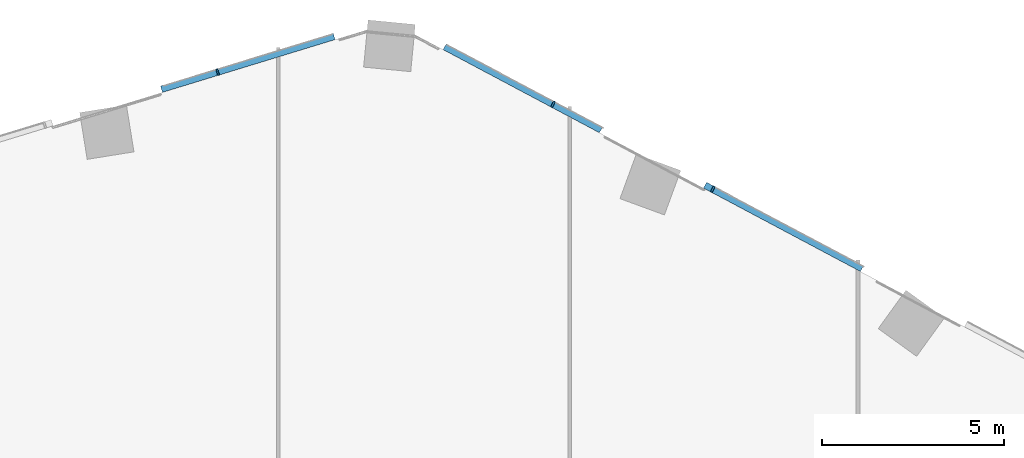
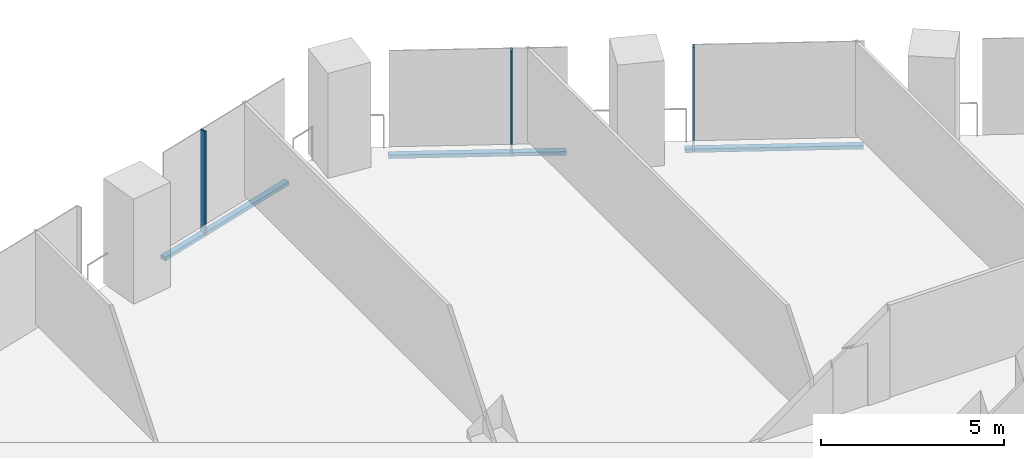
# One storey, part 12 of 30: 6 members, 2 elements without a shape of their own.
"""IFC4 building model written with IfcOpenShell, lengths in metres."""

from ifc_helpers import new_model, si_unit, direction, frame, origin, origin_2d, place, context, subcontext, project, spatial, rectangle, extrude, material, material_profile, profile_set, type_object, element, aggregate, save


model = new_model("IFC4")

# Units and contexts
model_context = context("Model", 3, precision=1e-05, world=origin(), true_north=direction((0.0, 1.0)))
body_context = subcontext(model_context, "Body", "Model", "MODEL_VIEW")
ifc_project = project(units=[si_unit("LENGTHUNIT", "METRE"), si_unit("AREAUNIT", "SQUARE_METRE"), si_unit("VOLUMEUNIT", "CUBIC_METRE"), si_unit("PLANEANGLEUNIT", "RADIAN"), si_unit("MASSUNIT", "GRAM", prefix="KILO")], contexts=[model_context])

# Site, building, storey
site_placement = place(None, origin())
site = spatial("IfcSite", under=ifc_project, at=site_placement, CompositionType="ELEMENT")
building_placement = place(site_placement, origin())
building = spatial("IfcBuilding", under=site, at=building_placement, Name="Orlundy Tower", CompositionType="ELEMENT")
storey_placement = place(building_placement, frame((0.0, 0.0, 80.699951171875)))
storey = spatial("IfcBuildingStorey", under=building, at=storey_placement, Name="L19", CompositionType="ELEMENT", Elevation=80.699951171875)

# Curtain wall, member
ifc_material_1 = material(Name="Aluminium bronze anodised", Category="aluminium")
curtain_wall_type = type_object("IfcCurtainWallType", Name="CW1 wall", PredefinedType="NOTDEFINED", material=ifc_material_1)
curtain_wall_1_placement = place(storey_placement, origin())
curtain_wall_1 = element("IfcCurtainWall", 1, at=curtain_wall_1_placement, inside=storey, type_object=curtain_wall_type, Name="CW1 run 03", PredefinedType="NOTDEFINED")
ifc_material_2 = material(Name="Aluminium bronze anodised", Category="aluminium")
ifc_material_profile_1 = material_profile(ifc_material_2, rectangle(XDim=0.179931640625, YDim=0.050048828125, at=origin_2d()), Name="CW1 mullion 50x180")
ifc_profile_set_1 = profile_set([ifc_material_profile_1], Name="Aluminium bronze anodised")
member_type_1 = type_object("IfcMemberType", Name="CW1 mullion 50x180", PredefinedType="MULLION", material=ifc_profile_set_1)
member_1_placement = place(storey_placement, frame((-1.667724609375, 30.954833984375, -0.39990234375), z_axis=(0.0, 0.0, 1.0), x_axis=(-0.292360624804, 0.956308143364, 0.0)))
member_1 = element("IfcMember", 2, at=member_1_placement, type_object=member_type_1, Name="CW1 mullion 18", PredefinedType="MULLION", context=body_context, shape_type="SweptSolid", body=[
    extrude(rectangle(XDim=0.179931640625, YDim=0.050048828125, at=origin_2d()), origin(), (0.0, 0.0, 1.0), 3.5),
])

# Curtain wall, members
curtain_wall_2_placement = place(storey_placement, origin())
curtain_wall_2 = element("IfcCurtainWall", 3, at=curtain_wall_2_placement, inside=storey, type_object=curtain_wall_type, Name="CW1 run 04", PredefinedType="NOTDEFINED")
member_2_placement = place(storey_placement, frame((7.54296875, 30.068115234375, -0.39990234375), z_axis=(0.0, 0.0, 1.0), x_axis=(0.469445471129, 0.882961465544, 0.0)))
member_2 = element("IfcMember", 4, at=member_2_placement, type_object=member_type_1, Name="CW1 mullion 20", PredefinedType="MULLION", context=body_context, shape_type="SweptSolid", body=[
    extrude(rectangle(XDim=0.179931640625, YDim=0.050048828125, at=origin_2d()), origin(), (0.0, 0.0, 1.0), 3.5),
])
member_3_placement = place(storey_placement, frame((11.931884765625, 27.734619140625, -0.39990234375), z_axis=(0.0, 0.0, 1.0), x_axis=(0.469445471129, 0.882961465544, 0.0)))
member_3 = element("IfcMember", 5, at=member_3_placement, type_object=member_type_1, Name="CW1 mullion 21", PredefinedType="MULLION", context=body_context, shape_type="SweptSolid", body=[
    extrude(rectangle(XDim=0.179931640625, YDim=0.050048828125, at=origin_2d()), origin(), (0.0, 0.0, 1.0), 3.5),
])

# Member
ifc_material_3 = material(Name="Aluminium bronze anodised", Category="aluminium")
ifc_material_profile_2 = material_profile(ifc_material_3, rectangle(XDim=0.179931640625, YDim=0.1201171875, at=origin_2d()), Name="CW1 transom 180x120")
ifc_profile_set_2 = profile_set([ifc_material_profile_2], Name="Aluminium bronze anodised")
member_type_2 = type_object("IfcMemberType", Name="CW1 transom 180x120", PredefinedType="USERDEFINED", material=ifc_profile_set_2)
member_4_placement = place(storey_placement, frame((-3.2109375, 30.483154296875, -0.33984375), z_axis=(0.956311814044, 0.292348617782, 0.0), x_axis=(-0.292348617782, 0.956311814044, 0.0)))
member_4 = element("IfcMember", 6, at=member_4_placement, type_object=member_type_2, Name="CW1 transom", ObjectType="TRANSOM", PredefinedType="USERDEFINED", context=body_context, shape_type="SweptSolid", body=[
    extrude(rectangle(XDim=0.179931640625, YDim=0.1201171875, at=origin_2d()), origin(), (0.0, 0.0, 1.0), 4.958740234375),
])

aggregate(curtain_wall_1, [member_1, member_4])

member_5_placement = place(storey_placement, frame((4.568603515625, 31.6494140625, -0.33984375), z_axis=(0.882969384927, -0.469430575573, 0.0), x_axis=(0.469430575573, 0.882969384927, 0.0)))
member_5 = element("IfcMember", 7, at=member_5_placement, type_object=member_type_2, Name="CW1 transom", ObjectType="TRANSOM", PredefinedType="USERDEFINED", context=body_context, shape_type="SweptSolid", body=[
    extrude(rectangle(XDim=0.179931640625, YDim=0.1201171875, at=origin_2d()), origin(), (0.0, 0.0, 1.0), 4.861572265625),
])

member_6_placement = place(storey_placement, frame((11.72119140625, 27.8466796875, -0.33984375), z_axis=(0.882969915702, -0.469429577215, 0.0), x_axis=(0.469429577215, 0.882969915702, 0.0)))
member_6 = element("IfcMember", 8, at=member_6_placement, type_object=member_type_2, Name="CW1 transom", ObjectType="TRANSOM", PredefinedType="USERDEFINED", context=body_context, shape_type="SweptSolid", body=[
    extrude(rectangle(XDim=0.179931640625, YDim=0.1201171875, at=origin_2d()), origin(), (0.0, 0.0, 1.0), 4.87939453125),
])

aggregate(curtain_wall_2, [member_2, member_3, member_5, member_6])

save(model, "model.ifc")
